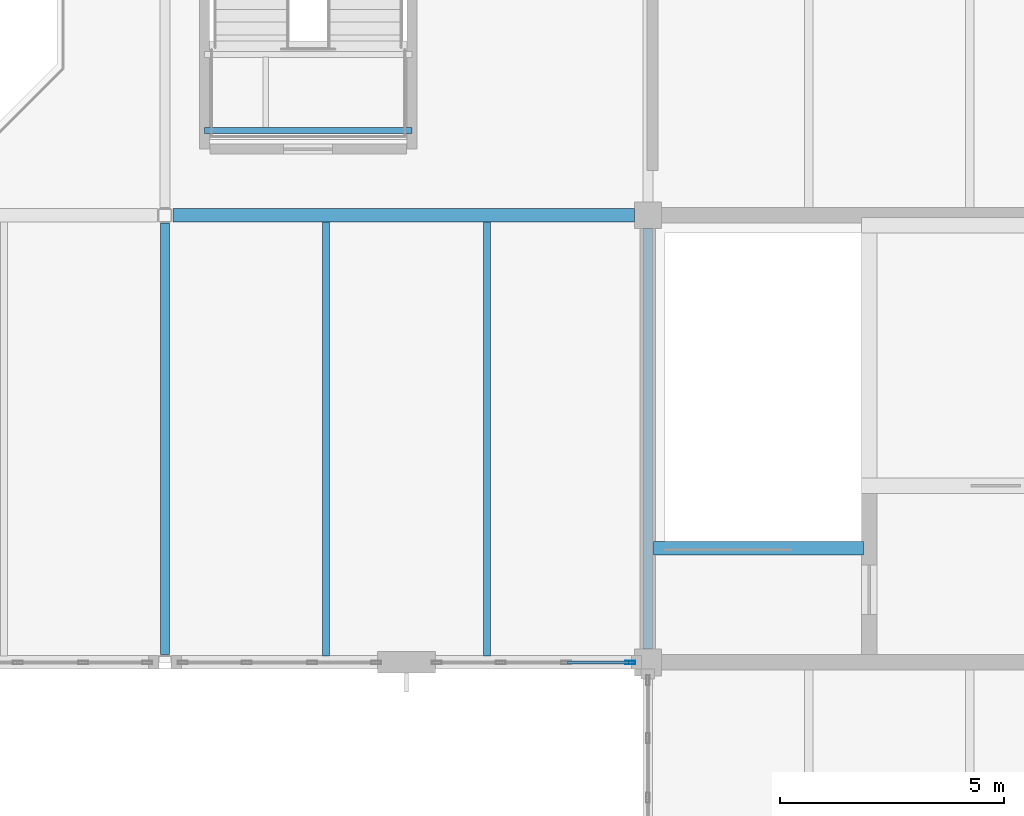
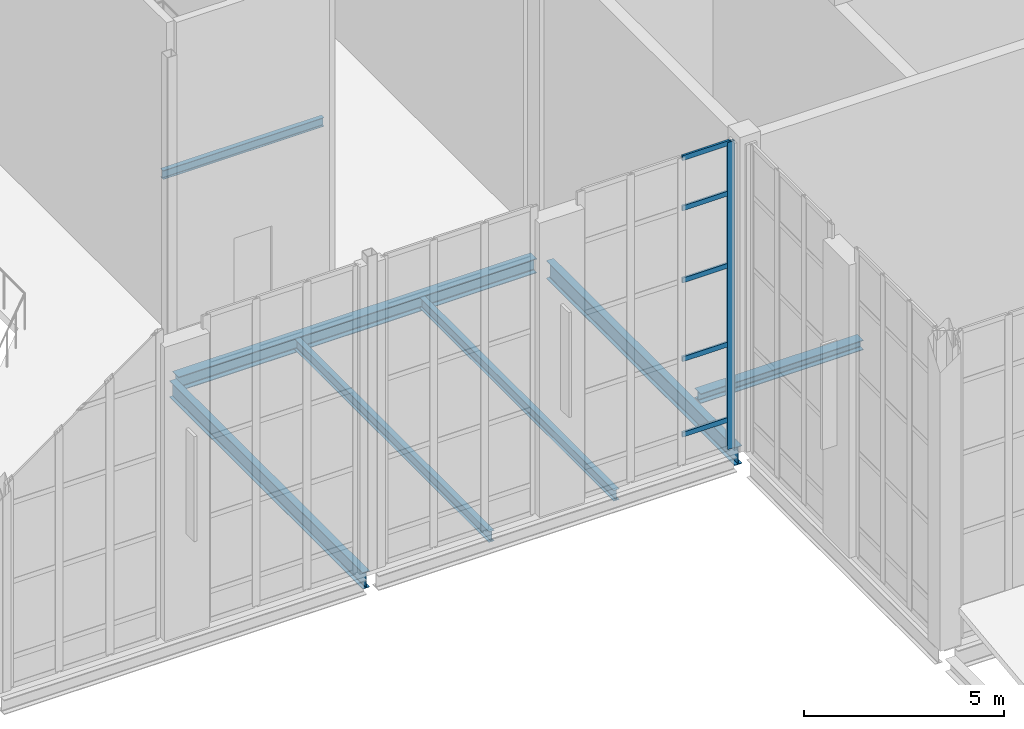
# One storey, part 38 of 100: 7 beams, 6 members, 1 element without a shape of its own.
"""IFC4 building model written with IfcOpenShell, lengths in metres."""

from ifc_helpers import new_model, si_unit, direction, frame, origin, origin_2d, place, context, subcontext, project, spatial, hollow_rectangle, i_section, extrude, material, layer, layer_set, material_profile, profile_set, type_object, element, aggregate, save


model = new_model("IFC4")

# Units and contexts
model_context = context("Model", 3, precision=1e-05, world=origin(), true_north=direction((0.0, 1.0)))
body_context = subcontext(model_context, "Body", "Model", "MODEL_VIEW")
ifc_project = project(units=[si_unit("LENGTHUNIT", "METRE"), si_unit("AREAUNIT", "SQUARE_METRE"), si_unit("VOLUMEUNIT", "CUBIC_METRE"), si_unit("PLANEANGLEUNIT", "RADIAN"), si_unit("MASSUNIT", "GRAM", prefix="KILO")], contexts=[model_context])

# Site, building, storey
site_placement = place(None, origin())
site = spatial("IfcSite", under=ifc_project, at=site_placement, CompositionType="ELEMENT")
building_placement = place(site_placement, origin())
building = spatial("IfcBuilding", under=site, at=building_placement, Name="Tasgan Crest Museum", CompositionType="ELEMENT")
storey_placement = place(building_placement, frame((0.0, 0.0, 14.39990234375)))
storey = spatial("IfcBuildingStorey", under=building, at=storey_placement, Name="L03", CompositionType="ELEMENT", Elevation=14.39990234375)

# Beams
ifc_material_1 = material(Name="Steel S355J2", Category="steel")
ifc_material_profile_1 = material_profile(ifc_material_1, i_section(OverallWidth=0.300048828125, OverallDepth=0.43994140625, WebThickness=0.011474609375, FlangeThickness=0.02099609375, FilletRadius=0.027099609375, at=origin_2d()), Name="HEA 450")
ifc_profile_set_1 = profile_set([ifc_material_profile_1], Name="Steel S355J2")
beam_type_1 = type_object("IfcBeamType", Name="BM-G-HEA450", PredefinedType="BEAM", material=ifc_profile_set_1)
beam_1_placement = place(storey_placement, frame((97.373779296875, 50.0, -0.4599609375), z_axis=(1.0, 0.0, 0.0), x_axis=(0.0, 1.0, 0.0)))
element("IfcBeam", 1, at=beam_1_placement, inside=storey, type_object=beam_type_1, Name="Girder L03 F 97.2-108.0", PredefinedType="BEAM", context=body_context, shape_type="SweptSolid", body=[
    extrude(i_section(OverallWidth=0.300048828125, OverallDepth=0.43994140625, WebThickness=0.011474609375, FlangeThickness=0.02099609375, FilletRadius=0.027099609375, at=origin_2d()), origin(), (0.0, 0.0, 1.0), 10.330322265625),
])
ifc_material_2 = material(Name="Steel S355J2", Category="steel")
ifc_material_profile_2 = material_profile(ifc_material_2, i_section(OverallWidth=0.300048828125, OverallDepth=0.300048828125, WebThickness=0.010986328125, FlangeThickness=0.01904296875, FilletRadius=0.027099609375, at=origin_2d()), Name="HEB 300")
ifc_profile_set_2 = profile_set([ifc_material_profile_2], Name="Steel S355J2")
beam_type_2 = type_object("IfcBeamType", Name="BM-G-HEB300", PredefinedType="BEAM", material=ifc_profile_set_2)
beam_2_placement = place(storey_placement, frame((108.1298828125, 42.550048828125, -0.14990234375), z_axis=(1.0, 0.0, 0.0), x_axis=(0.0, 1.0, 0.0)))
element("IfcBeam", 2, at=beam_2_placement, inside=storey, type_object=beam_type_2, Name="East Conservation Core top stair trimmer L03", PredefinedType="BEAM", context=body_context, shape_type="SweptSolid", body=[
    extrude(i_section(OverallWidth=0.300048828125, OverallDepth=0.300048828125, WebThickness=0.010986328125, FlangeThickness=0.01904296875, FilletRadius=0.027099609375, at=origin_2d()), origin(), (0.0, 0.0, 1.0), 4.690185546875),
])
ifc_material_3 = material(Name="Steel S355J2", Category="steel")
ifc_material_profile_3 = material_profile(ifc_material_3, i_section(OverallWidth=0.199951171875, OverallDepth=0.5, WebThickness=0.01025390625, FlangeThickness=0.01611328125, FilletRadius=0.02099609375, at=origin_2d()), Name="IPE 500")
ifc_profile_set_3 = profile_set([ifc_material_profile_3], Name="Steel S355J2")
beam_type_3 = type_object("IfcBeamType", Name="BM-G-IPE500", PredefinedType="BEAM", material=ifc_profile_set_3)
beam_3_placement = place(storey_placement, frame((97.199951171875, 40.1728515625, -0.489990234375), z_axis=(0.0, 1.0, 0.0), x_axis=(-1.0, 0.0, 0.0)))
element("IfcBeam", 3, at=beam_3_placement, inside=storey, type_object=beam_type_3, Name="Beam L03 10 40.0-50.0", PredefinedType="BEAM", context=body_context, shape_type="SweptSolid", body=[
    extrude(i_section(OverallWidth=0.199951171875, OverallDepth=0.5, WebThickness=0.01025390625, FlangeThickness=0.01611328125, FilletRadius=0.02099609375, at=origin_2d()), origin(), (0.0, 0.0, 1.0), 9.654296875),
])
ifc_material_4 = material(Name="Steel S355J2", Category="steel")
ifc_material_profile_4 = material_profile(ifc_material_4, i_section(OverallWidth=0.2099609375, OverallDepth=0.550048828125, WebThickness=0.010986328125, FlangeThickness=0.01708984375, FilletRadius=0.02392578125, at=origin_2d()), Name="IPE 550")
ifc_profile_set_4 = profile_set([ifc_material_profile_4], Name="Steel S355J2")
beam_type_4 = type_object("IfcBeamType", Name="BM-G-IPE550", PredefinedType="BEAM", material=ifc_profile_set_4)
beam_4_placement = place(storey_placement, frame((108.0, 40.294921875, -0.554931640625), z_axis=(0.0, 1.0, 0.0), x_axis=(-1.0, 0.0, 0.0)))
element("IfcBeam", 4, at=beam_4_placement, inside=storey, type_object=beam_type_4, Name="Beam L03 11 40.0-50.0", PredefinedType="BEAM", context=body_context, shape_type="SweptSolid", body=[
    extrude(i_section(OverallWidth=0.2099609375, OverallDepth=0.550048828125, WebThickness=0.010986328125, FlangeThickness=0.01708984375, FilletRadius=0.02392578125, at=origin_2d()), origin(), (0.0, 0.0, 1.0), 9.41015625),
])
ifc_material_5 = material(Name="Steel S355J2", Category="steel")
ifc_material_profile_5 = material_profile(ifc_material_5, i_section(OverallWidth=0.159912109375, OverallDepth=0.330078125, WebThickness=0.007568359375, FlangeThickness=0.011474609375, FilletRadius=0.01806640625, at=origin_2d()), Name="IPE 330")
ifc_profile_set_5 = profile_set([ifc_material_profile_5], Name="Steel S355J2")
beam_type_5 = type_object("IfcBeamType", Name="BM-J-IPE330", PredefinedType="JOIST", material=ifc_profile_set_5)
for number, where, z_axis, x_axis, name in (
    (5, (100.800048828125, 40.14501953125, -0.40478515625), (0.0, 1.0, 0.0), (-1.0, 0.0, 0.0), "Secondary joist L03 X=100.8 Y=40.0-50.0"),
    (6, (104.39990234375, 40.14501953125, -0.40478515625), (0.0, 1.0, 0.0), (-1.0, 0.0, 0.0), "Secondary joist L03 X=104.4 Y=40.0-50.0"),
):
    element("IfcBeam", number, at=place(storey_placement, frame(where, z_axis=z_axis, x_axis=x_axis)), inside=storey, type_object=beam_type_5, Name=name, PredefinedType="JOIST", context=body_context, shape_type="SweptSolid", body=[
        extrude(i_section(OverallWidth=0.159912109375, OverallDepth=0.330078125, WebThickness=0.007568359375, FlangeThickness=0.011474609375, FilletRadius=0.01806640625, at=origin_2d()), origin(), (0.0, 0.0, 1.0), 9.7099609375),
    ])
ifc_material_6 = material(Name="Steel S355J2", Category="steel")
ifc_material_profile_6 = material_profile(ifc_material_6, i_section(OverallWidth=0.135009765625, OverallDepth=0.27001953125, WebThickness=0.006591796875, FlangeThickness=0.01025390625, FilletRadius=0.014892578125, at=origin_2d()), Name="IPE 270")
ifc_profile_set_6 = profile_set([ifc_material_profile_6], Name="Steel S355J2")
beam_type_6 = type_object("IfcBeamType", Name="BM-LAND-IPE270", PredefinedType="BEAM", material=ifc_profile_set_6)
beam_5_placement = place(storey_placement, frame((98.080078125, 51.89990234375, 4.465087890625), z_axis=(1.0, 0.0, 0.0), x_axis=(0.0, 1.0, 0.0)))
element("IfcBeam", 7, at=beam_5_placement, inside=storey, type_object=beam_type_6, Name="Stair intermediate landing beam ST-AT-L03 F", PredefinedType="BEAM", context=body_context, shape_type="SweptSolid", body=[
    extrude(i_section(OverallWidth=0.135009765625, OverallDepth=0.27001953125, WebThickness=0.006591796875, FlangeThickness=0.01025390625, FilletRadius=0.014892578125, at=origin_2d()), origin(), (0.0, 0.0, 1.0), 4.639892578125),
])

# Curtain wall, members
ifc_material_7 = material(Name="Triple-Glazed Aluminium Curtain Wall", Category="aluminium")
ifc_layer = layer(ifc_material_7, 0.179931640625, Name="CW-DRUM-X-96")
ifc_layer_set = layer_set([ifc_layer], Name="Triple-Glazed Aluminium Curtain Wall")
curtain_wall_type = type_object("IfcCurtainWallType", Name="CW-DRUM-X-96", PredefinedType="NOTDEFINED", material=ifc_layer_set)
curtain_wall_placement = place(storey_placement, origin())
curtain_wall = element("IfcCurtainWall", 8, at=curtain_wall_placement, inside=storey, type_object=curtain_wall_type, Name="Curtain wall L03 154", PredefinedType="NOTDEFINED")
ifc_material_8 = material(Name="Anodised Aluminium", Category="aluminium")
ifc_material_profile_7 = material_profile(ifc_material_8, hollow_rectangle(XDim=0.074951171875, YDim=0.219970703125, WallThickness=0.006103515625, at=origin_2d()), Name="ALU MULLION 220x75x6")
ifc_profile_set_7 = profile_set([ifc_material_profile_7], Name="Anodised Aluminium")
member_type_1 = type_object("IfcMemberType", Name="CW-MULLION-220", PredefinedType="MULLION", material=ifc_profile_set_7)
member_1_placement = place(storey_placement, frame((107.60498046875, 40.0, 0.0), z_axis=(0.0, 0.0, 1.0), x_axis=(0.0, 1.0, 0.0)))
member_1 = element("IfcMember", 9, at=member_1_placement, type_object=member_type_1, Name="CW06 mullion 4", PredefinedType="MULLION", context=body_context, shape_type="SweptSolid", body=[
    extrude(hollow_rectangle(XDim=0.074951171875, YDim=0.219970703125, WallThickness=0.006103515625, at=origin_2d()), origin(), (0.0, 0.0, 1.0), 9.360107421875),
])
ifc_material_9 = material(Name="Anodised Aluminium", Category="aluminium")
ifc_material_profile_8 = material_profile(ifc_material_9, hollow_rectangle(XDim=0.06005859375, YDim=0.14990234375, WallThickness=0.0048828125, at=origin_2d()), Name="ALU TRANSOM 150x60x5")
ifc_profile_set_8 = profile_set([ifc_material_profile_8], Name="Anodised Aluminium")
member_type_2 = type_object("IfcMemberType", Name="CW-TRANSOM-150", PredefinedType="USERDEFINED", material=ifc_profile_set_8)
member_2_placement = place(storey_placement, frame((106.20166015625, 40.0, 0.900146484375), z_axis=(1.0, 0.0, 0.0), x_axis=(0.0, 1.0, 0.0)))
member_2 = element("IfcMember", 10, at=member_2_placement, type_object=member_type_2, Name="CW06 transom 3.2", ObjectType="TRANSOM", PredefinedType="USERDEFINED", context=body_context, shape_type="SweptSolid", body=[
    extrude(hollow_rectangle(XDim=0.06005859375, YDim=0.14990234375, WallThickness=0.0048828125, at=origin_2d()), origin(), (0.0, 0.0, 1.0), 1.373291015625),
])
member_3_placement = place(storey_placement, frame((106.20166015625, 40.0, 3.2001953125), z_axis=(1.0, 0.0, 0.0), x_axis=(0.0, 1.0, 0.0)))
member_3 = element("IfcMember", 11, at=member_3_placement, type_object=member_type_2, Name="CW06 transom 3.3", ObjectType="TRANSOM", PredefinedType="USERDEFINED", context=body_context, shape_type="SweptSolid", body=[
    extrude(hollow_rectangle(XDim=0.06005859375, YDim=0.14990234375, WallThickness=0.0048828125, at=origin_2d()), origin(), (0.0, 0.0, 1.0), 1.373291015625),
])
member_4_placement = place(storey_placement, frame((106.20166015625, 40.0, 5.60009765625), z_axis=(1.0, 0.0, 0.0), x_axis=(0.0, 1.0, 0.0)))
member_4 = element("IfcMember", 12, at=member_4_placement, type_object=member_type_2, Name="CW06 transom 3.4", ObjectType="TRANSOM", PredefinedType="USERDEFINED", context=body_context, shape_type="SweptSolid", body=[
    extrude(hollow_rectangle(XDim=0.06005859375, YDim=0.14990234375, WallThickness=0.0048828125, at=origin_2d()), origin(), (0.0, 0.0, 1.0), 1.373291015625),
])
member_5_placement = place(storey_placement, frame((106.20166015625, 40.0, 7.800048828125), z_axis=(1.0, 0.0, 0.0), x_axis=(0.0, 1.0, 0.0)))
member_5 = element("IfcMember", 13, at=member_5_placement, type_object=member_type_2, Name="CW06 transom 3.5", ObjectType="TRANSOM", PredefinedType="USERDEFINED", context=body_context, shape_type="SweptSolid", body=[
    extrude(hollow_rectangle(XDim=0.06005859375, YDim=0.14990234375, WallThickness=0.0048828125, at=origin_2d()), origin(), (0.0, 0.0, 1.0), 1.373291015625),
])
member_6_placement = place(storey_placement, frame((106.20166015625, 40.0, 9.330078125), z_axis=(1.0, 0.0, 0.0), x_axis=(0.0, 1.0, 0.0)))
member_6 = element("IfcMember", 14, at=member_6_placement, type_object=member_type_2, Name="CW06 transom 3.6", ObjectType="TRANSOM", PredefinedType="USERDEFINED", context=body_context, shape_type="SweptSolid", body=[
    extrude(hollow_rectangle(XDim=0.06005859375, YDim=0.14990234375, WallThickness=0.0048828125, at=origin_2d()), origin(), (0.0, 0.0, 1.0), 1.373291015625),
])
aggregate(curtain_wall, [member_1, member_2, member_3, member_4, member_5, member_6])

save(model, "model.ifc")
